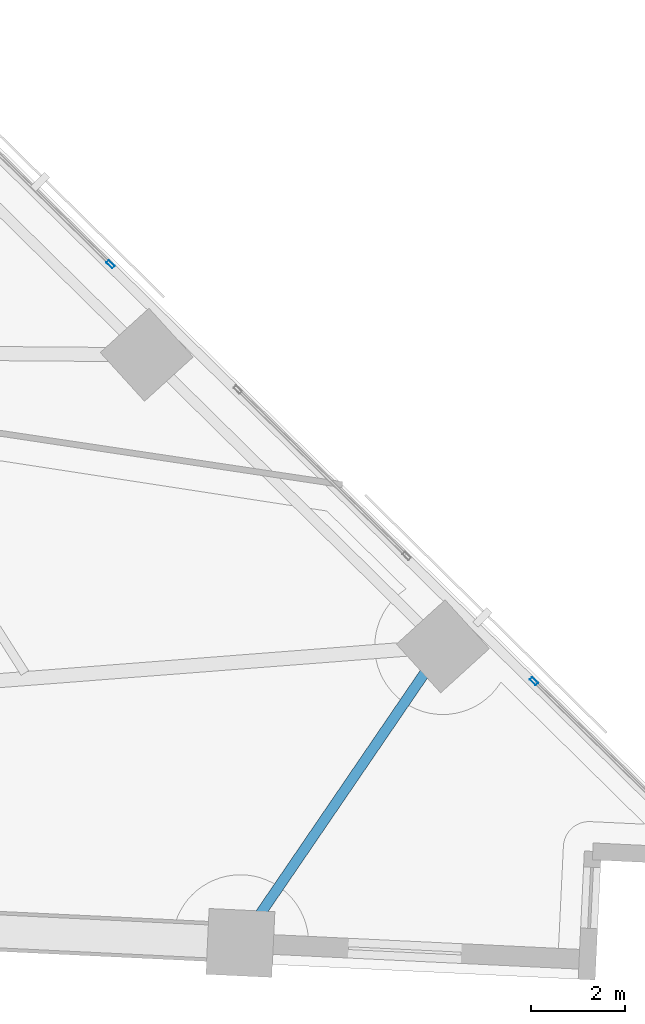
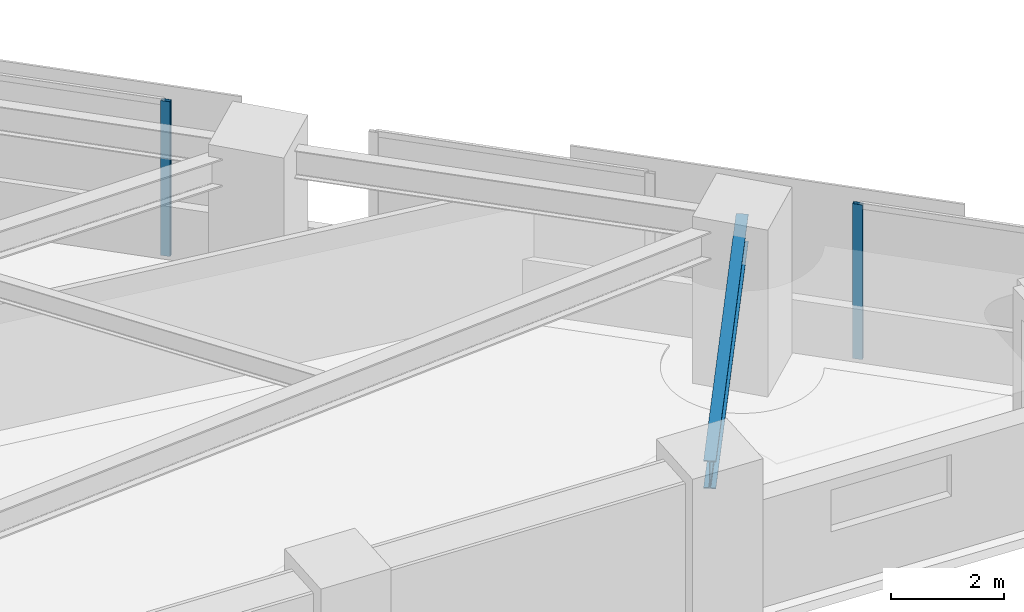
# One storey, part 4 of 17: 2 members, 1 beam, 2 elements without a shape of their own.
"""IFC4 building model written with IfcOpenShell, lengths in metres."""

from ifc_helpers import new_model, si_unit, direction, frame, origin, origin_2d, place, context, subcontext, project, spatial, hollow_rectangle, i_section, extrude, material, material_profile, profile_set, type_object, element, aggregate, save


model = new_model("IFC4")

# Units and contexts
model_context = context("Model", 3, precision=1e-05, world=origin(), true_north=direction((0.0, 1.0)))
body_context = subcontext(model_context, "Body", "Model", "MODEL_VIEW")
ifc_project = project(units=[si_unit("LENGTHUNIT", "METRE"), si_unit("AREAUNIT", "SQUARE_METRE"), si_unit("VOLUMEUNIT", "CUBIC_METRE"), si_unit("PLANEANGLEUNIT", "RADIAN"), si_unit("MASSUNIT", "GRAM", prefix="KILO")], contexts=[model_context])

# Site, building, storey
site_placement = place(None, origin())
site = spatial("IfcSite", under=ifc_project, at=site_placement, CompositionType="ELEMENT")
building_placement = place(site_placement, origin())
building = spatial("IfcBuilding", under=site, at=building_placement, Name="Narakoshi Arena Tower", CompositionType="ELEMENT")
storey_placement = place(building_placement, frame((0.0, 0.0, 33.89990234375)))
storey = spatial("IfcBuildingStorey", under=building, at=storey_placement, Name="L08", CompositionType="ELEMENT", Elevation=33.89990234375)

# Beam
ifc_material_1 = material(Name="Structural steel S355J2", Category="steel")
ifc_material_profile_1 = material_profile(ifc_material_1, i_section(OverallWidth=0.219970703125, OverallDepth=0.60009765625, WebThickness=0.011962890625, FlangeThickness=0.01904296875, FilletRadius=0.02392578125, at=origin_2d()), Name="IPE600")
ifc_profile_set_1 = profile_set([ifc_material_profile_1], Name="Structural steel S355J2")
beam_type = type_object("IfcBeamType", Name="BM-EDGE-600", PredefinedType="BEAM", material=ifc_profile_set_1)
beam_placement = place(storey_placement, frame((110.636474609375, 30.661865234375, 3.0400390625), z_axis=(0.563755333308, 0.825941840668, 0.0), x_axis=(-0.825941840668, 0.563755333308, 0.0)))
element("IfcBeam", 1, at=beam_placement, inside=storey, type_object=beam_type, Name="L08 Perimeter Edge Girder 04", PredefinedType="BEAM", context=body_context, shape_type="SweptSolid", body=[
    extrude(i_section(OverallWidth=0.219970703125, OverallDepth=0.60009765625, WebThickness=0.011962890625, FlangeThickness=0.01904296875, FilletRadius=0.02392578125, at=origin_2d()), origin(), (0.0, 0.0, 1.0), 7.637451171875),
])

# Curtain wall, member
ifc_material_2 = material(Name="Anodised bronze aluminium 6063-T6", Category="aluminium")
curtain_wall_type = type_object("IfcCurtainWallType", Name="CW-HYP-LOW", PredefinedType="NOTDEFINED", material=ifc_material_2)
curtain_wall_1_placement = place(storey_placement, origin())
curtain_wall_1 = element("IfcCurtainWall", 2, at=curtain_wall_1_placement, inside=storey, type_object=curtain_wall_type, Name="L08 Folded Hypotenuse Curtain Wall 1-1", PredefinedType="NOTDEFINED")
ifc_material_profile_2 = material_profile(ifc_material_2, hollow_rectangle(XDim=0.074951171875, YDim=0.179931640625, WallThickness=0.00390625, OuterFilletRadius=0.0048828125, at=origin_2d()), Name="MUL180x75x4")
ifc_profile_set_2 = profile_set([ifc_material_profile_2], Name="Anodised bronze aluminium 6063-T6")
member_type = type_object("IfcMemberType", Name="MEM-MUL-180", PredefinedType="MULLION", material=ifc_profile_set_2)
member_1_placement = place(storey_placement, frame((116.87744140625, 36.229248046875, 0.0), z_axis=(0.0, 0.0, 1.0), x_axis=(-0.701630192894, -0.712541277695, 0.0)))
member_1 = element("IfcMember", 3, at=member_1_placement, type_object=member_type, Name="CW-01 mullion 2", PredefinedType="MULLION", context=body_context, shape_type="SweptSolid", body=[
    extrude(hollow_rectangle(XDim=0.074951171875, YDim=0.179931640625, WallThickness=0.00390625, OuterFilletRadius=0.0048828125, at=origin_2d()), origin(), (0.0, 0.0, 1.0), 3.340087890625),
])
aggregate(curtain_wall_1, [member_1])

curtain_wall_2_placement = place(storey_placement, origin())
curtain_wall_2 = element("IfcCurtainWall", 4, at=curtain_wall_2_placement, inside=storey, type_object=curtain_wall_type, Name="L08 Folded Hypotenuse Curtain Wall 1-3", PredefinedType="NOTDEFINED")
member_2_placement = place(storey_placement, frame((107.872802734375, 45.095947265625, 0.0), z_axis=(0.0, 0.0, 1.0), x_axis=(-0.701632802488, -0.712538708053, 0.0)))
member_2 = element("IfcMember", 5, at=member_2_placement, type_object=member_type, Name="CW-01 mullion 1", PredefinedType="MULLION", context=body_context, shape_type="SweptSolid", body=[
    extrude(hollow_rectangle(XDim=0.074951171875, YDim=0.179931640625, WallThickness=0.00390625, OuterFilletRadius=0.0048828125, at=origin_2d()), origin(), (0.0, 0.0, 1.0), 3.340087890625),
])
aggregate(curtain_wall_2, [member_2])

save(model, "model.ifc")
